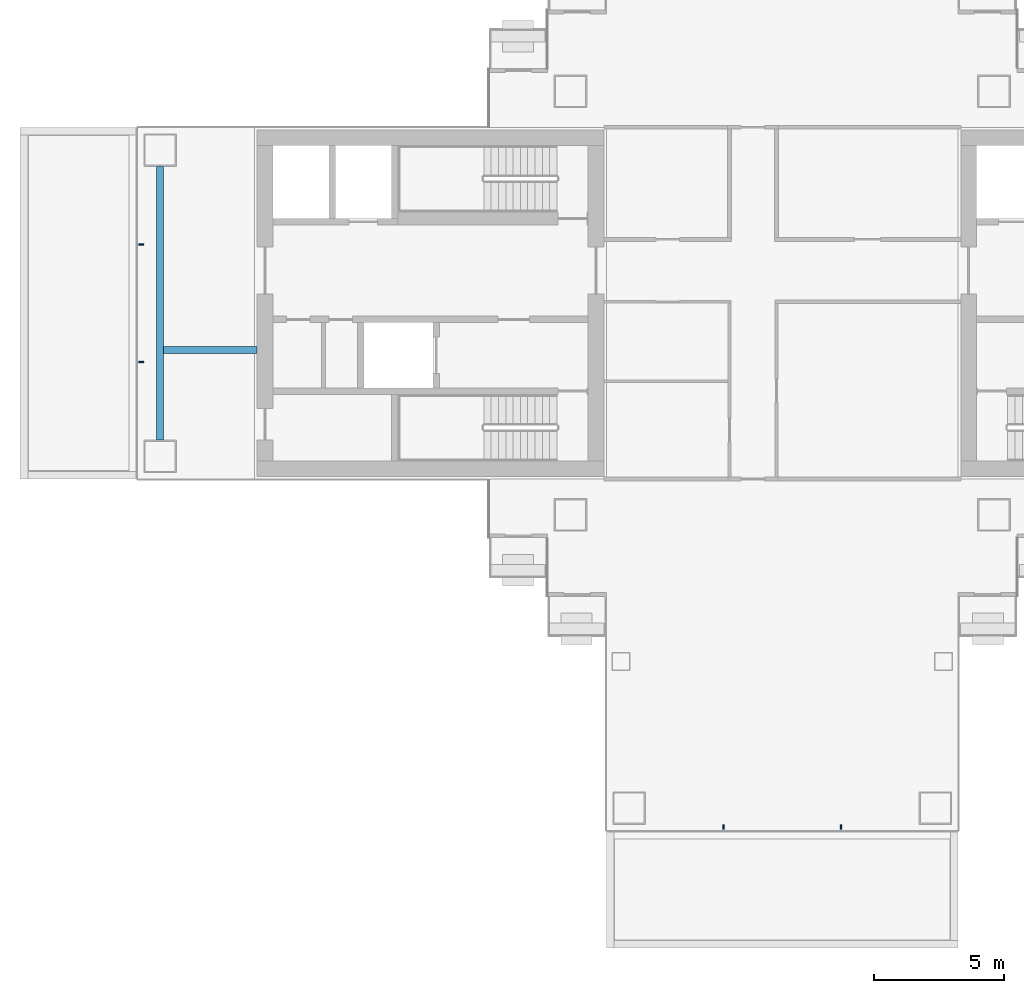
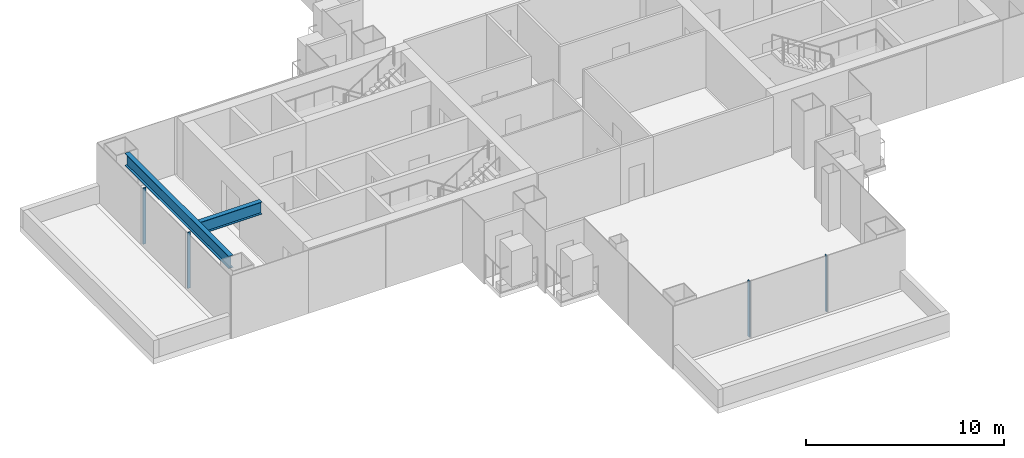
# One storey, part 3 of 20: 4 members, 2 beams, 2 elements without a shape of their own.
"""IFC4 building model written with IfcOpenShell, lengths in metres."""

from ifc_helpers import new_model, si_unit, direction, frame, origin, origin_2d, place, context, subcontext, project, spatial, rectangle, i_section, extrude, material, layer, layer_set, material_profile, profile_set, type_object, element, aggregate, save


model = new_model("IFC4")

# Units and contexts
model_context = context("Model", 3, precision=1e-05, world=origin(), true_north=direction((0.0, 1.0)))
body_context = subcontext(model_context, "Body", "Model", "MODEL_VIEW")
ifc_project = project(units=[si_unit("LENGTHUNIT", "METRE"), si_unit("AREAUNIT", "SQUARE_METRE"), si_unit("VOLUMEUNIT", "CUBIC_METRE"), si_unit("PLANEANGLEUNIT", "RADIAN"), si_unit("MASSUNIT", "GRAM", prefix="KILO")], contexts=[model_context])

# Site, building, storey
site_placement = place(None, origin())
site = spatial("IfcSite", under=ifc_project, at=site_placement, CompositionType="ELEMENT")
building_placement = place(site_placement, origin())
building = spatial("IfcBuilding", under=site, at=building_placement, Name="Shamsa Quay Exchange Towers", CompositionType="ELEMENT")
storey_placement = place(building_placement, frame((0.0, 0.0, 81.89990234375)))
storey = spatial("IfcBuildingStorey", under=building, at=storey_placement, Name="L18", CompositionType="ELEMENT", Elevation=81.89990234375)

# Curtain wall, members
ifc_material_1 = material(Name="Aluminium EN AW-6063 T6, black anodised", Category="aluminium")
ifc_layer = layer(ifc_material_1, 0.280029296875)
ifc_layer_set = layer_set([ifc_layer], Name="CW-1 UNITISED VISION GLASS")
curtain_wall_type = type_object("IfcCurtainWallType", Name="CW-1 UNITISED VISION GLASS", PredefinedType="NOTDEFINED", material=ifc_layer_set)
curtain_wall_1_placement = place(storey_placement, origin())
curtain_wall_1 = element("IfcCurtainWall", 1, at=curtain_wall_1_placement, inside=storey, type_object=curtain_wall_type, Name="CW1 T1-END-V- L18", PredefinedType="NOTDEFINED")
ifc_material_profile_1 = material_profile(ifc_material_1, rectangle(XDim=0.179931640625, YDim=0.06005859375, at=origin_2d()), Name="MU60x180")
ifc_profile_set_1 = profile_set([ifc_material_profile_1], Name="Aluminium EN AW-6063 T6, black anodised")
member_type = type_object("IfcMemberType", Name="CW1 MULLION 60x180", PredefinedType="MULLION", material=ifc_profile_set_1)
member_1_placement = place(storey_placement, frame((-36.0, -20.10009765625, 0.0), z_axis=(0.0, 0.0, 1.0), x_axis=(0.0, 1.0, 0.0)))
member_1 = element("IfcMember", 2, at=member_1_placement, type_object=member_type, Name="CW1 mullion", PredefinedType="MULLION", context=body_context, shape_type="SweptSolid", body=[
    extrude(rectangle(XDim=0.179931640625, YDim=0.06005859375, at=origin_2d()), origin(), (0.0, 0.0, 1.0), 3.4501953125),
])
member_2_placement = place(storey_placement, frame((-31.5, -20.10009765625, 0.0), z_axis=(0.0, 0.0, 1.0), x_axis=(0.0, 1.0, 0.0)))
member_2 = element("IfcMember", 3, at=member_2_placement, type_object=member_type, Name="CW1 mullion", PredefinedType="MULLION", context=body_context, shape_type="SweptSolid", body=[
    extrude(rectangle(XDim=0.179931640625, YDim=0.06005859375, at=origin_2d()), origin(), (0.0, 0.0, 1.0), 3.4501953125),
])
aggregate(curtain_wall_1, [member_1, member_2])

curtain_wall_2_placement = place(storey_placement, origin())
curtain_wall_2 = element("IfcCurtainWall", 4, at=curtain_wall_2_placement, inside=storey, type_object=curtain_wall_type, Name="CW1 T1-END-U- L18", PredefinedType="NOTDEFINED")
member_3_placement = place(storey_placement, frame((-58.35009765625, 2.25, 0.0)))
member_3 = element("IfcMember", 5, at=member_3_placement, type_object=member_type, Name="CW1 mullion", PredefinedType="MULLION", context=body_context, shape_type="SweptSolid", body=[
    extrude(rectangle(XDim=0.179931640625, YDim=0.06005859375, at=origin_2d()), origin(), (0.0, 0.0, 1.0), 3.4501953125),
])
member_4_placement = place(storey_placement, frame((-58.35009765625, -2.25, 0.0)))
member_4 = element("IfcMember", 6, at=member_4_placement, type_object=member_type, Name="CW1 mullion", PredefinedType="MULLION", context=body_context, shape_type="SweptSolid", body=[
    extrude(rectangle(XDim=0.179931640625, YDim=0.06005859375, at=origin_2d()), origin(), (0.0, 0.0, 1.0), 3.4501953125),
])
aggregate(curtain_wall_2, [member_3, member_4])

# Beams
ifc_material_2 = material(Name="Steel S355", Category="steel")
ifc_material_profile_2 = material_profile(ifc_material_2, i_section(OverallWidth=0.26611328125, OverallDepth=0.7578125, WebThickness=0.013916015625, FlangeThickness=0.019287109375, at=origin_2d()), Name="W30x108")
ifc_profile_set_2 = profile_set([ifc_material_profile_2], Name="Steel S355")
beam_type = type_object("IfcBeamType", Name="End-zone beam W30x108", PredefinedType="BEAM", material=ifc_profile_set_2)
beam_1_placement = place(storey_placement, frame((-57.625, -5.25, 3.171142578125), z_axis=(0.0, 1.0, 0.0), x_axis=(-1.0, 0.0, 0.0)))
element("IfcBeam", 7, at=beam_1_placement, inside=storey, type_object=beam_type, Name="End beam T1 U- end zone L18", PredefinedType="BEAM", context=body_context, shape_type="SweptSolid", body=[
    extrude(i_section(OverallWidth=0.26611328125, OverallDepth=0.7578125, WebThickness=0.013916015625, FlangeThickness=0.019287109375, at=origin_2d()), origin(), (0.0, 0.0, 1.0), 10.5),
])
beam_2_placement = place(storey_placement, frame((-53.89990234375, -1.800048828125, 3.171142578125), z_axis=(-1.0, 0.0, 0.0), x_axis=(0.0, -1.0, 0.0)))
element("IfcBeam", 8, at=beam_2_placement, inside=storey, type_object=beam_type, Name="Spine beam T1 U- end zone L18", PredefinedType="BEAM", context=body_context, shape_type="SweptSolid", body=[
    extrude(i_section(OverallWidth=0.26611328125, OverallDepth=0.7578125, WebThickness=0.013916015625, FlangeThickness=0.019287109375, at=origin_2d()), origin(), (0.0, 0.0, 1.0), 3.592041015625),
])

save(model, "model.ifc")
